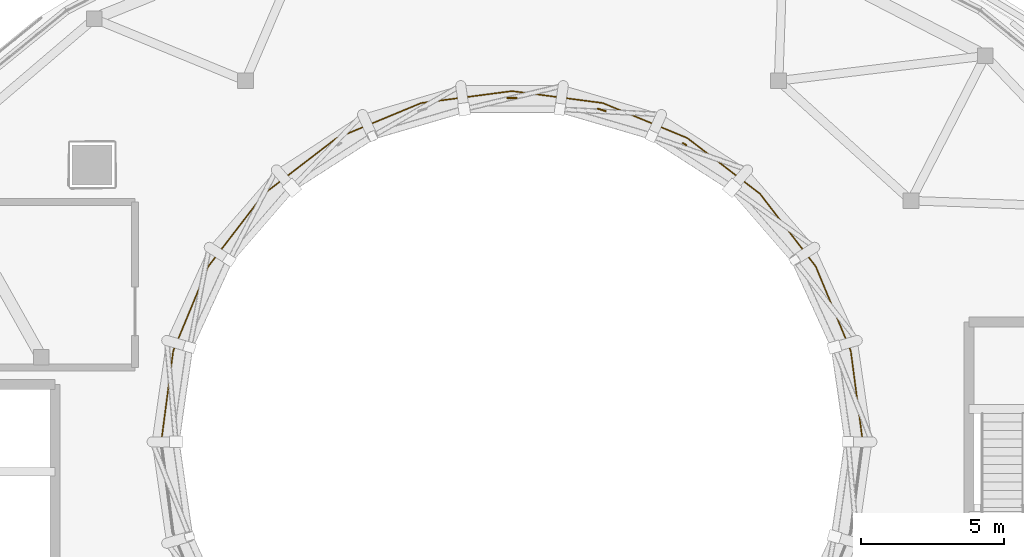
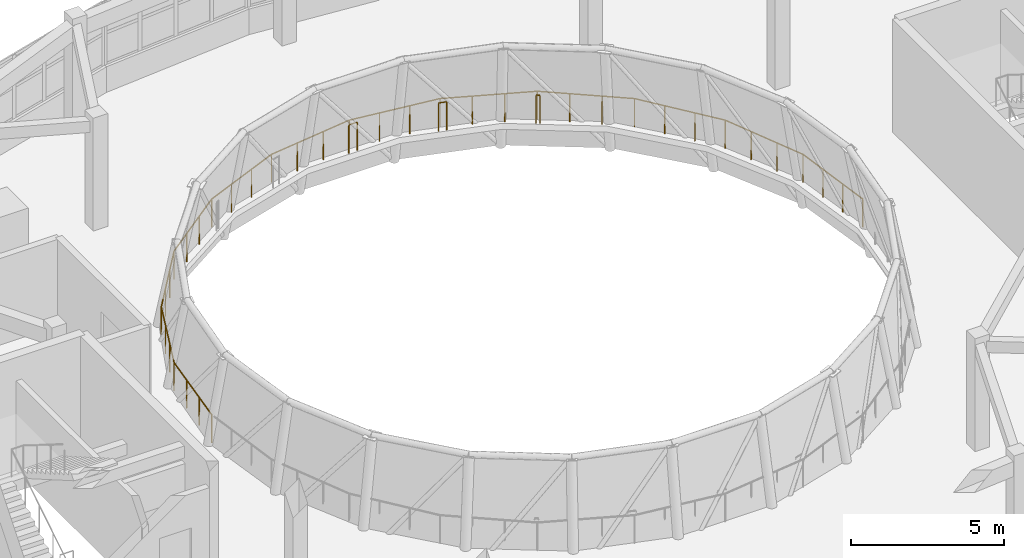
# One storey, part 44 of 46: 4 railings.
"""IFC4 building model written with IfcOpenShell, lengths in metres."""

from ifc_helpers import new_model, si_unit, direction, frame, origin, origin_2d, place, context, subcontext, project, spatial, circle, extrude, material, type_object, element, save


model = new_model("IFC4")

# Units and contexts
model_context = context("Model", 3, precision=1e-05, world=origin(), true_north=direction((0.0, 1.0)))
body_context = subcontext(model_context, "Body", "Model", "MODEL_VIEW")
ifc_project = project(units=[si_unit("LENGTHUNIT", "METRE"), si_unit("AREAUNIT", "SQUARE_METRE"), si_unit("VOLUMEUNIT", "CUBIC_METRE"), si_unit("PLANEANGLEUNIT", "RADIAN"), si_unit("MASSUNIT", "GRAM", prefix="KILO")], contexts=[model_context])

# Site, building, storey
site_placement = place(None, origin())
site = spatial("IfcSite", under=ifc_project, at=site_placement, CompositionType="ELEMENT")
building_placement = place(site_placement, origin())
building = spatial("IfcBuilding", under=site, at=building_placement, Name="Pelvatis Terrace Science Centre", CompositionType="ELEMENT")
storey_placement = place(building_placement, frame((0.0, 0.0, 19.800048828125)))
storey = spatial("IfcBuildingStorey", under=building, at=storey_placement, Name="L04", CompositionType="ELEMENT", Elevation=19.800048828125)

# Railings
ifc_material_1 = material(Name="Brushed architectural bronze tubular railing", Category="steel")
railing_type_1 = type_object("IfcRailingType", Name="RLG-ATR-1140", PredefinedType="BALUSTRADE", material=ifc_material_1)
railing_1_placement = place(storey_placement, frame((121.47998046875, 85.800048828125, 0.0)))
element("IfcRailing", 1, at=railing_1_placement, inside=storey, type_object=railing_type_1, Name="Atrium overlook balustrade RLG-ATR-L04-V1 A", PredefinedType="BALUSTRADE", context=body_context, shape_type="SweptSolid", body=[
    extrude(circle(Radius=0.02392578125, at=origin_2d()), frame((0.0, 0.0, 1.11572265625), z_axis=(-0.130537255782, 0.991443404765, 0.0), x_axis=(-0.991443404765, -0.130537255782, 0.0)), (0.0, 0.0, 1.0), 3.20556640625),
    extrude(circle(Radius=0.02392578125, at=origin_2d()), frame((-0.41845703125, 3.17822265625, 1.11572265625), z_axis=(-0.38269482609, 0.923874812994, 0.0), x_axis=(-0.923874812994, -0.38269482609, 0.0)), (0.0, 0.0, 1.0), 3.205810546875),
    extrude(circle(Radius=0.02392578125, at=origin_2d()), frame((-1.645263671875, 6.139892578125, 1.11572265625), z_axis=(-0.60871289264, 0.793390581198, 0.0), x_axis=(-0.793390581198, -0.60871289264, 0.0)), (0.0, 0.0, 1.0), 3.205810546875),
    extrude(circle(Radius=0.02392578125, at=origin_2d()), frame((-3.5966796875, 8.683349609375, 1.11572265625), z_axis=(-0.793362360546, 0.608749673403, 0.0), x_axis=(-0.608749673403, -0.793362360546, 0.0)), (0.0, 0.0, 1.0), 3.20556640625),
    extrude(circle(Radius=0.02392578125, at=origin_2d()), frame((-6.139892578125, 10.634765625, 1.11572265625), z_axis=(-0.923874812994, 0.38269482609, 0.0), x_axis=(-0.38269482609, -0.923874812994, 0.0)), (0.0, 0.0, 1.0), 3.205810546875),
    extrude(circle(Radius=0.02392578125, at=origin_2d()), frame((-9.1015625, 11.861572265625, 1.11572265625), z_axis=(-0.991444702373, 0.130527399944, 0.0), x_axis=(-0.130527399944, -0.991444702373, 0.0)), (0.0, 0.0, 1.0), 3.205810546875),
    extrude(circle(Radius=0.02392578125, at=origin_2d()), frame((-12.280029296875, 12.280029296875, 1.11572265625), z_axis=(-0.991443404765, -0.130537255782, 0.0), x_axis=(0.130537255782, -0.991443404765, 0.0)), (0.0, 0.0, 1.0), 3.20556640625),
    extrude(circle(Radius=0.02392578125, at=origin_2d()), frame((-15.458251953125, 11.861572265625, 1.11572265625), z_axis=(-0.923874812994, -0.38269482609, 0.0), x_axis=(0.38269482609, -0.923874812994, 0.0)), (0.0, 0.0, 1.0), 3.205810546875),
    extrude(circle(Radius=0.02392578125, at=origin_2d()), frame((-18.419921875, 10.634765625, 1.11572265625), z_axis=(-0.793390581198, -0.60871289264, 0.0), x_axis=(0.60871289264, -0.793390581198, 0.0)), (0.0, 0.0, 1.0), 3.205810546875),
    extrude(circle(Radius=0.02392578125, at=origin_2d()), frame((-20.96337890625, 8.683349609375, 1.11572265625), z_axis=(-0.60871289264, -0.793390581198, 0.0), x_axis=(0.793390581198, -0.60871289264, 0.0)), (0.0, 0.0, 1.0), 3.205810546875),
    extrude(circle(Radius=0.02392578125, at=origin_2d()), frame((-22.914794921875, 6.139892578125, 1.11572265625), z_axis=(-0.38269482609, -0.923874812994, 0.0), x_axis=(0.923874812994, -0.38269482609, 0.0)), (0.0, 0.0, 1.0), 3.205810546875),
    extrude(circle(Radius=0.02392578125, at=origin_2d()), frame((-24.1416015625, 3.17822265625, 1.11572265625), z_axis=(-0.130537255782, -0.991443404765, 0.0), x_axis=(0.991443404765, -0.130537255782, 0.0)), (0.0, 0.0, 1.0), 3.20556640625),
    extrude(circle(Radius=0.02099609375, at=origin_2d()), origin(), (0.0, 0.0, 1.0), 1.091796875),
    extrude(circle(Radius=0.02099609375, at=origin_2d()), frame((-0.139404296875, 1.059326171875, 0.0)), (0.0, 0.0, 1.0), 1.091796875),
    extrude(circle(Radius=0.02099609375, at=origin_2d()), frame((-0.279052734375, 2.118896484375, 0.0)), (0.0, 0.0, 1.0), 1.091796875),
    extrude(circle(Radius=0.02099609375, at=origin_2d()), frame((-0.41845703125, 3.17822265625, 0.0)), (0.0, 0.0, 1.0), 1.091796875),
    extrude(circle(Radius=0.02099609375, at=origin_2d()), frame((-0.827392578125, 4.16552734375, 0.0)), (0.0, 0.0, 1.0), 1.091796875),
    extrude(circle(Radius=0.02099609375, at=origin_2d()), frame((-1.236328125, 5.152587890625, 0.0)), (0.0, 0.0, 1.0), 1.091796875),
    extrude(circle(Radius=0.02099609375, at=origin_2d()), frame((-1.645263671875, 6.139892578125, 0.0)), (0.0, 0.0, 1.0), 1.091796875),
    extrude(circle(Radius=0.02099609375, at=origin_2d()), frame((-2.295654296875, 6.98779296875, 0.0)), (0.0, 0.0, 1.0), 1.091796875),
    extrude(circle(Radius=0.02099609375, at=origin_2d()), frame((-2.9462890625, 7.83544921875, 0.0)), (0.0, 0.0, 1.0), 1.091796875),
    extrude(circle(Radius=0.02099609375, at=origin_2d()), frame((-3.5966796875, 8.683349609375, 0.0)), (0.0, 0.0, 1.0), 1.091796875),
    extrude(circle(Radius=0.02099609375, at=origin_2d()), frame((-4.4443359375, 9.333740234375, 0.0)), (0.0, 0.0, 1.0), 1.091796875),
    extrude(circle(Radius=0.02099609375, at=origin_2d()), frame((-5.292236328125, 9.984375, 0.0)), (0.0, 0.0, 1.0), 1.091796875),
    extrude(circle(Radius=0.02099609375, at=origin_2d()), frame((-6.139892578125, 10.634765625, 0.0)), (0.0, 0.0, 1.0), 1.091796875),
    extrude(circle(Radius=0.02099609375, at=origin_2d()), frame((-7.127197265625, 11.043701171875, 0.0)), (0.0, 0.0, 1.0), 1.091796875),
    extrude(circle(Radius=0.02099609375, at=origin_2d()), frame((-8.1142578125, 11.45263671875, 0.0)), (0.0, 0.0, 1.0), 1.091796875),
    extrude(circle(Radius=0.02099609375, at=origin_2d()), frame((-9.1015625, 11.861572265625, 0.0)), (0.0, 0.0, 1.0), 1.091796875),
    extrude(circle(Radius=0.02099609375, at=origin_2d()), frame((-10.1611328125, 12.0009765625, 0.0)), (0.0, 0.0, 1.0), 1.091796875),
    extrude(circle(Radius=0.02099609375, at=origin_2d()), frame((-11.220458984375, 12.140625, 0.0)), (0.0, 0.0, 1.0), 1.091796875),
    extrude(circle(Radius=0.02099609375, at=origin_2d()), frame((-12.280029296875, 12.280029296875, 0.0)), (0.0, 0.0, 1.0), 1.091796875),
    extrude(circle(Radius=0.02099609375, at=origin_2d()), frame((-13.33935546875, 12.140625, 0.0)), (0.0, 0.0, 1.0), 1.091796875),
    extrude(circle(Radius=0.02099609375, at=origin_2d()), frame((-14.39892578125, 12.0009765625, 0.0)), (0.0, 0.0, 1.0), 1.091796875),
    extrude(circle(Radius=0.02099609375, at=origin_2d()), frame((-15.458251953125, 11.861572265625, 0.0)), (0.0, 0.0, 1.0), 1.091796875),
    extrude(circle(Radius=0.02099609375, at=origin_2d()), frame((-16.445556640625, 11.45263671875, 0.0)), (0.0, 0.0, 1.0), 1.091796875),
    extrude(circle(Radius=0.02099609375, at=origin_2d()), frame((-17.4326171875, 11.043701171875, 0.0)), (0.0, 0.0, 1.0), 1.091796875),
    extrude(circle(Radius=0.02099609375, at=origin_2d()), frame((-18.419921875, 10.634765625, 0.0)), (0.0, 0.0, 1.0), 1.091796875),
    extrude(circle(Radius=0.02099609375, at=origin_2d()), frame((-19.267822265625, 9.984375, 0.0)), (0.0, 0.0, 1.0), 1.091796875),
    extrude(circle(Radius=0.02099609375, at=origin_2d()), frame((-20.115478515625, 9.333740234375, 0.0)), (0.0, 0.0, 1.0), 1.091796875),
    extrude(circle(Radius=0.02099609375, at=origin_2d()), frame((-20.96337890625, 8.683349609375, 0.0)), (0.0, 0.0, 1.0), 1.091796875),
    extrude(circle(Radius=0.02099609375, at=origin_2d()), frame((-21.61376953125, 7.83544921875, 0.0)), (0.0, 0.0, 1.0), 1.091796875),
    extrude(circle(Radius=0.02099609375, at=origin_2d()), frame((-22.264404296875, 6.98779296875, 0.0)), (0.0, 0.0, 1.0), 1.091796875),
    extrude(circle(Radius=0.02099609375, at=origin_2d()), frame((-22.914794921875, 6.139892578125, 0.0)), (0.0, 0.0, 1.0), 1.091796875),
    extrude(circle(Radius=0.02099609375, at=origin_2d()), frame((-23.32373046875, 5.152587890625, 0.0)), (0.0, 0.0, 1.0), 1.091796875),
    extrude(circle(Radius=0.02099609375, at=origin_2d()), frame((-23.732666015625, 4.16552734375, 0.0)), (0.0, 0.0, 1.0), 1.091796875),
    extrude(circle(Radius=0.02099609375, at=origin_2d()), frame((-24.1416015625, 3.17822265625, 0.0)), (0.0, 0.0, 1.0), 1.091796875),
    extrude(circle(Radius=0.02099609375, at=origin_2d()), frame((-24.281005859375, 2.118896484375, 0.0)), (0.0, 0.0, 1.0), 1.091796875),
    extrude(circle(Radius=0.02099609375, at=origin_2d()), frame((-24.420654296875, 1.059326171875, 0.0)), (0.0, 0.0, 1.0), 1.091796875),
    extrude(circle(Radius=0.02099609375, at=origin_2d()), frame((-24.56005859375, 0.0, 0.0)), (0.0, 0.0, 1.0), 1.091796875),
])
ifc_material_2 = material(Name="Bronze-anodised aluminium and laminated safety glass balustrade", Category="aluminium")
railing_type_2 = type_object("IfcRailingType", Name="RLG-BAL-1150", PredefinedType="BALUSTRADE", material=ifc_material_2)
railing_2_placement = place(storey_placement, frame((115.302001953125, 96.186767578125, 0.0)))
element("IfcRailing", 2, at=railing_2_placement, inside=storey, type_object=railing_type_2, Name="Perimeter edge balustrade RLG-EDG-L04-418", PredefinedType="BALUSTRADE", context=body_context, shape_type="SweptSolid", body=[
    extrude(circle(Radius=0.02392578125, at=origin_2d()), frame((0.0, 0.0, 1.1259765625), z_axis=(-0.842006505413, 0.539467371434, 0.0), x_axis=(-0.539467371434, -0.842006505413, 0.0)), (0.0, 0.0, 1.0), 0.134033203125),
    extrude(circle(Radius=0.02099609375, at=origin_2d()), origin(), (0.0, 0.0, 1.0), 1.101806640625),
    extrude(circle(Radius=0.02099609375, at=origin_2d()), frame((-0.11279296875, 0.072265625, 0.0)), (0.0, 0.0, 1.0), 1.101806640625),
])
railing_3_placement = place(storey_placement, frame((112.475830078125, 97.383056640625, 0.0)))
element("IfcRailing", 3, at=railing_3_placement, inside=storey, type_object=railing_type_2, Name="Perimeter edge balustrade RLG-EDG-L04-419", PredefinedType="BALUSTRADE", context=body_context, shape_type="SweptSolid", body=[
    extrude(circle(Radius=0.02392578125, at=origin_2d()), frame((0.0, 0.0, 1.1259765625), z_axis=(-0.959503405924, 0.281697025226, 0.0), x_axis=(-0.281697025226, -0.959503405924, 0.0)), (0.0, 0.0, 1.0), 0.28173828125),
    extrude(circle(Radius=0.02099609375, at=origin_2d()), origin(), (0.0, 0.0, 1.0), 1.101806640625),
    extrude(circle(Radius=0.02099609375, at=origin_2d()), frame((-0.270263671875, 0.079345703125, 0.0)), (0.0, 0.0, 1.0), 1.101806640625),
])
railing_4_placement = place(storey_placement, frame((109.36181640625, 97.8369140625, 0.0)))
element("IfcRailing", 4, at=railing_4_placement, inside=storey, type_object=railing_type_2, Name="Perimeter edge balustrade RLG-EDG-L04-420", PredefinedType="BALUSTRADE", context=body_context, shape_type="SweptSolid", body=[
    extrude(circle(Radius=0.02392578125, at=origin_2d()), frame((0.0, 0.0, 1.1259765625), z_axis=(-1.0, 0.0, 0.0), x_axis=(0.0, -1.0, 0.0)), (0.0, 0.0, 1.0), 0.32373046875),
    extrude(circle(Radius=0.02099609375, at=origin_2d()), origin(), (0.0, 0.0, 1.0), 1.101806640625),
    extrude(circle(Radius=0.02099609375, at=origin_2d()), frame((-0.32373046875, 0.0, 0.0)), (0.0, 0.0, 1.0), 1.101806640625),
])

save(model, "model.ifc")
